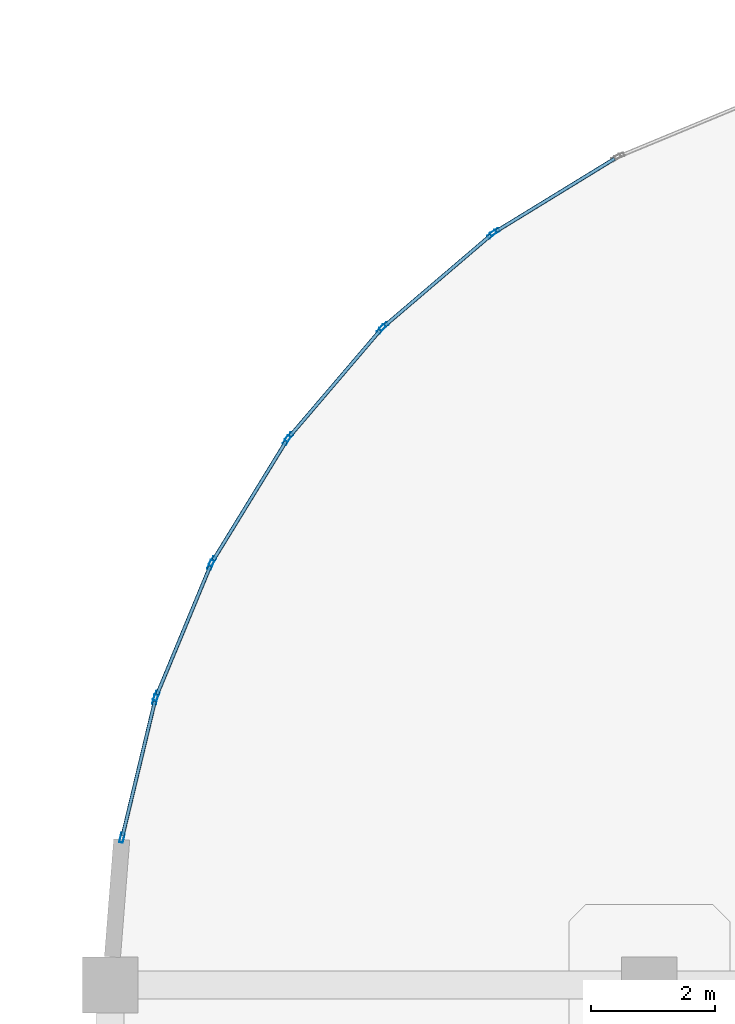
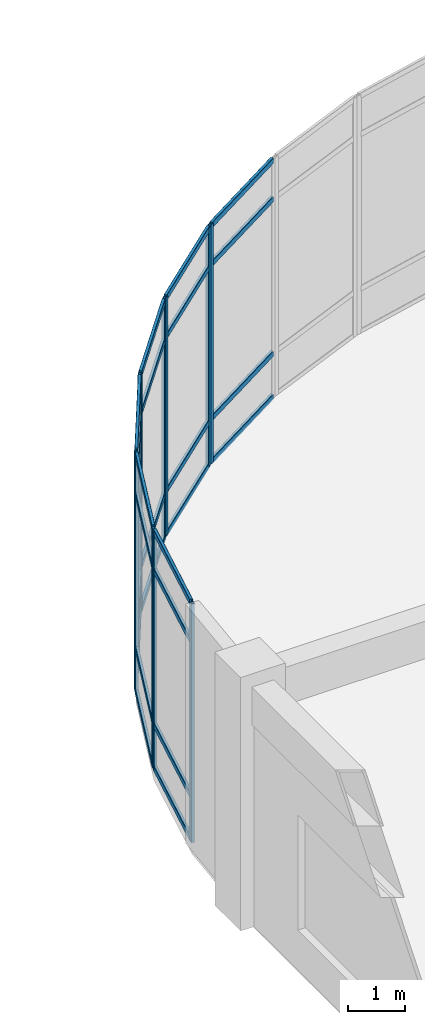
# One storey, part 19 of 114: 35 members, 6 elements without a shape of their own.
"""IFC4 building model written with IfcOpenShell, lengths in metres."""

from ifc_helpers import new_model, si_unit, derived_unit, direction, frame, origin, origin_2d, place, context, subcontext, project, spatial, hollow_rectangle, extrude, material, layer, layer_set, material_profile, profile_set, type_object, element, aggregate, save


model = new_model("IFC4")

# Units and contexts
model_context = context("Model", 3, precision=1e-05, world=origin(), true_north=direction((0.0, 1.0)))
body_context = subcontext(model_context, "Body", "Model", "MODEL_VIEW")
ifc_project = project(units=[si_unit("LENGTHUNIT", "METRE"), si_unit("AREAUNIT", "SQUARE_METRE"), si_unit("VOLUMEUNIT", "CUBIC_METRE"), si_unit("PLANEANGLEUNIT", "RADIAN"), si_unit("MASSUNIT", "GRAM", prefix="KILO"), derived_unit("THERMALTRANSMITTANCEUNIT", [(si_unit("MASSUNIT", "GRAM", prefix="KILO"), 1), (si_unit("TIMEUNIT", "SECOND"), -3), (si_unit("THERMODYNAMICTEMPERATUREUNIT", "KELVIN"), -1)])], contexts=[model_context])

# Site, building, storey
site_placement = place(None, origin())
site = spatial("IfcSite", under=ifc_project, at=site_placement, CompositionType="ELEMENT")
building_placement = place(site_placement, origin())
building = spatial("IfcBuilding", under=site, at=building_placement, Name="Qinzheling Arcade Emporium", CompositionType="ELEMENT")
storey_placement = place(building_placement, frame((0.0, 0.0, 6.0)))
storey = spatial("IfcBuildingStorey", under=building, at=storey_placement, Name="L02", CompositionType="ELEMENT", Elevation=6.0)

# Curtain wall, members
ifc_material_1 = material(Name="Anodised aluminium and solar-control double glazing", Category="aluminium")
ifc_layer = layer(ifc_material_1, 0.159912109375, Name="Anodised aluminium and solar-control double glazing", Category="aluminium")
ifc_layer_set = layer_set([ifc_layer], Name="Anodised aluminium and solar-control double glazing")
curtain_wall_type = type_object("IfcCurtainWallType", Name="Curved Ribbon Sales Curtain Wall", PredefinedType="NOTDEFINED", material=ifc_layer_set)
curtain_wall_1_placement = place(storey_placement, origin())
curtain_wall_1 = element("IfcCurtainWall", 1, at=curtain_wall_1_placement, inside=storey, type_object=curtain_wall_type, Name="Curtain Wall CW-L02-085", PredefinedType="NOTDEFINED")
ifc_material_2 = material(Name="Anodised aluminium 6063-T6", Category="aluminium")
ifc_material_profile_1 = material_profile(ifc_material_2, hollow_rectangle(XDim=0.06005859375, YDim=0.159912109375, WallThickness=0.00390625, InnerFilletRadius=0.00390625, OuterFilletRadius=0.008056640625, at=origin_2d()), Name="RHS 160x60x4", Category="aluminium")
ifc_profile_set_1 = profile_set([ifc_material_profile_1], Name="Anodised aluminium 6063-T6")
member_type_1 = type_object("IfcMemberType", Name="Curtain Wall Mullion RHS160x60", PredefinedType="MULLION", material=ifc_profile_set_1)
member_1_placement = place(storey_placement, frame((8.89208984375, 52.776123046875, 0.0), z_axis=(0.0, 0.0, 1.0), x_axis=(-0.972398874145, 0.233324729854, 0.0)))
member_1 = element("IfcMember", 2, at=member_1_placement, type_object=member_type_1, Name="CW02 mullion 1", PredefinedType="MULLION", context=body_context, shape_type="SweptSolid", body=[
    extrude(hollow_rectangle(XDim=0.06005859375, YDim=0.159912109375, WallThickness=0.00390625, InnerFilletRadius=0.00390625, OuterFilletRadius=0.008056640625, at=origin_2d()), origin(), (0.0, 0.0, 1.0), 5.090087890625),
])
member_2_placement = place(storey_placement, frame((9.427001953125, 55.005859375, 0.0), z_axis=(0.0, 0.0, 1.0), x_axis=(-0.972398874145, 0.233324729854, 0.0)))
member_2 = element("IfcMember", 3, at=member_2_placement, type_object=member_type_1, Name="CW02 mullion 2", PredefinedType="MULLION", context=body_context, shape_type="SweptSolid", body=[
    extrude(hollow_rectangle(XDim=0.06005859375, YDim=0.159912109375, WallThickness=0.00390625, InnerFilletRadius=0.00390625, OuterFilletRadius=0.008056640625, at=origin_2d()), origin(), (0.0, 0.0, 1.0), 5.090087890625),
])

curtain_wall_2_placement = place(storey_placement, origin())
curtain_wall_2 = element("IfcCurtainWall", 4, at=curtain_wall_2_placement, inside=storey, type_object=curtain_wall_type, Name="Curtain Wall CW-L02-086", PredefinedType="NOTDEFINED")
member_3_placement = place(storey_placement, frame((9.445556640625, 55.062744140625, 0.0), z_axis=(0.0, 0.0, 1.0), x_axis=(-0.923866691535, 0.382714431752, 0.0)))
member_3 = element("IfcMember", 5, at=member_3_placement, type_object=member_type_1, Name="CW02 mullion 1", PredefinedType="MULLION", context=body_context, shape_type="SweptSolid", body=[
    extrude(hollow_rectangle(XDim=0.06005859375, YDim=0.159912109375, WallThickness=0.00390625, InnerFilletRadius=0.00390625, OuterFilletRadius=0.008056640625, at=origin_2d()), origin(), (0.0, 0.0, 1.0), 5.090087890625),
])
member_4_placement = place(storey_placement, frame((10.323486328125, 57.182373046875, 0.0), z_axis=(0.0, 0.0, 1.0), x_axis=(-0.923866691535, 0.382714431752, 0.0)))
member_4 = element("IfcMember", 6, at=member_4_placement, type_object=member_type_1, Name="CW02 mullion 2", PredefinedType="MULLION", context=body_context, shape_type="SweptSolid", body=[
    extrude(hollow_rectangle(XDim=0.06005859375, YDim=0.159912109375, WallThickness=0.00390625, InnerFilletRadius=0.00390625, OuterFilletRadius=0.008056640625, at=origin_2d()), origin(), (0.0, 0.0, 1.0), 5.090087890625),
])

curtain_wall_3_placement = place(storey_placement, origin())
curtain_wall_3 = element("IfcCurtainWall", 7, at=curtain_wall_3_placement, inside=storey, type_object=curtain_wall_type, Name="Curtain Wall CW-L02-087", PredefinedType="NOTDEFINED")
member_5_placement = place(storey_placement, frame((10.3505859375, 57.235595703125, 0.0), z_axis=(0.0, 0.0, 1.0), x_axis=(-0.852619568756, 0.522532172191, 0.0)))
member_5 = element("IfcMember", 8, at=member_5_placement, type_object=member_type_1, Name="CW02 mullion 1", PredefinedType="MULLION", context=body_context, shape_type="SweptSolid", body=[
    extrude(hollow_rectangle(XDim=0.06005859375, YDim=0.159912109375, WallThickness=0.00390625, InnerFilletRadius=0.00390625, OuterFilletRadius=0.008056640625, at=origin_2d()), origin(), (0.0, 0.0, 1.0), 5.090087890625),
])
member_6_placement = place(storey_placement, frame((11.54931640625, 59.19140625, 0.0), z_axis=(0.0, 0.0, 1.0), x_axis=(-0.852619568756, 0.522532172191, 0.0)))
member_6 = element("IfcMember", 9, at=member_6_placement, type_object=member_type_1, Name="CW02 mullion 2", PredefinedType="MULLION", context=body_context, shape_type="SweptSolid", body=[
    extrude(hollow_rectangle(XDim=0.06005859375, YDim=0.159912109375, WallThickness=0.00390625, InnerFilletRadius=0.00390625, OuterFilletRadius=0.008056640625, at=origin_2d()), origin(), (0.0, 0.0, 1.0), 5.090087890625),
])

curtain_wall_4_placement = place(storey_placement, origin())
curtain_wall_4 = element("IfcCurtainWall", 10, at=curtain_wall_4_placement, inside=storey, type_object=curtain_wall_type, Name="Curtain Wall CW-L02-088", PredefinedType="NOTDEFINED")
member_7_placement = place(storey_placement, frame((11.58447265625, 59.23974609375, 0.0), z_axis=(0.0, 0.0, 1.0), x_axis=(-0.760574737185, 0.649250390185, 0.0)))
member_7 = element("IfcMember", 11, at=member_7_placement, type_object=member_type_1, Name="CW02 mullion 1", PredefinedType="MULLION", context=body_context, shape_type="SweptSolid", body=[
    extrude(hollow_rectangle(XDim=0.06005859375, YDim=0.159912109375, WallThickness=0.00390625, InnerFilletRadius=0.00390625, OuterFilletRadius=0.008056640625, at=origin_2d()), origin(), (0.0, 0.0, 1.0), 5.090087890625),
])
member_8_placement = place(storey_placement, frame((13.073486328125, 60.984130859375, 0.0), z_axis=(0.0, 0.0, 1.0), x_axis=(-0.760574737185, 0.649250390185, 0.0)))
member_8 = element("IfcMember", 12, at=member_8_placement, type_object=member_type_1, Name="CW02 mullion 2", PredefinedType="MULLION", context=body_context, shape_type="SweptSolid", body=[
    extrude(hollow_rectangle(XDim=0.06005859375, YDim=0.159912109375, WallThickness=0.00390625, InnerFilletRadius=0.00390625, OuterFilletRadius=0.008056640625, at=origin_2d()), origin(), (0.0, 0.0, 1.0), 5.090087890625),
])

curtain_wall_5_placement = place(storey_placement, origin())
curtain_wall_5 = element("IfcCurtainWall", 13, at=curtain_wall_5_placement, inside=storey, type_object=curtain_wall_type, Name="Curtain Wall CW-L02-089", PredefinedType="NOTDEFINED")
member_9_placement = place(storey_placement, frame((13.11572265625, 61.0263671875, 0.0), z_axis=(0.0, 0.0, 1.0), x_axis=(-0.649250390185, 0.760574737185, 0.0)))
member_9 = element("IfcMember", 14, at=member_9_placement, type_object=member_type_1, Name="CW02 mullion 1", PredefinedType="MULLION", context=body_context, shape_type="SweptSolid", body=[
    extrude(hollow_rectangle(XDim=0.06005859375, YDim=0.159912109375, WallThickness=0.00390625, InnerFilletRadius=0.00390625, OuterFilletRadius=0.008056640625, at=origin_2d()), origin(), (0.0, 0.0, 1.0), 5.090087890625),
])
member_10_placement = place(storey_placement, frame((14.860107421875, 62.515625, 0.0), z_axis=(0.0, 0.0, 1.0), x_axis=(-0.649250390185, 0.760574737185, 0.0)))
member_10 = element("IfcMember", 15, at=member_10_placement, type_object=member_type_1, Name="CW02 mullion 2", PredefinedType="MULLION", context=body_context, shape_type="SweptSolid", body=[
    extrude(hollow_rectangle(XDim=0.06005859375, YDim=0.159912109375, WallThickness=0.00390625, InnerFilletRadius=0.00390625, OuterFilletRadius=0.008056640625, at=origin_2d()), origin(), (0.0, 0.0, 1.0), 5.090087890625),
])

# Curtain wall, member
curtain_wall_6_placement = place(storey_placement, origin())
curtain_wall_6 = element("IfcCurtainWall", 16, at=curtain_wall_6_placement, inside=storey, type_object=curtain_wall_type, Name="Curtain Wall CW-L02-090", PredefinedType="NOTDEFINED")
member_11_placement = place(storey_placement, frame((14.90869140625, 62.55078125, 0.0), z_axis=(0.0, 0.0, 1.0), x_axis=(-0.522532172191, 0.852619568756, 0.0)))
member_11 = element("IfcMember", 17, at=member_11_placement, type_object=member_type_1, Name="CW02 mullion 1", PredefinedType="MULLION", context=body_context, shape_type="SweptSolid", body=[
    extrude(hollow_rectangle(XDim=0.06005859375, YDim=0.159912109375, WallThickness=0.00390625, InnerFilletRadius=0.00390625, OuterFilletRadius=0.008056640625, at=origin_2d()), origin(), (0.0, 0.0, 1.0), 5.090087890625),
])

# Member
ifc_material_profile_2 = material_profile(ifc_material_2, hollow_rectangle(XDim=0.06005859375, YDim=0.1201171875, WallThickness=0.00390625, InnerFilletRadius=0.00390625, OuterFilletRadius=0.008056640625, at=origin_2d()), Name="RHS 120x60x4", Category="aluminium")
ifc_profile_set_2 = profile_set([ifc_material_profile_2], Name="Anodised aluminium 6063-T6")
member_type_2 = type_object("IfcMemberType", Name="Curtain Wall Transom RHS120x60", PredefinedType="USERDEFINED", material=ifc_profile_set_2)
member_12_placement = place(storey_placement, frame((8.89892578125, 52.805419921875, 0.030029296875), z_axis=(0.233339867955, 0.97239524167, 0.0), x_axis=(-0.97239524167, 0.233339867955, 0.0)))
member_12 = element("IfcMember", 18, at=member_12_placement, type_object=member_type_2, Name="CW02 transom 1.1", ObjectType="TRANSOM", PredefinedType="USERDEFINED", context=body_context, shape_type="SweptSolid", body=[
    extrude(hollow_rectangle(XDim=0.06005859375, YDim=0.1201171875, WallThickness=0.00390625, InnerFilletRadius=0.00390625, OuterFilletRadius=0.008056640625, at=origin_2d()), origin(), (0.0, 0.0, 1.0), 2.232666015625),
])

member_13_placement = place(storey_placement, frame((8.89892578125, 52.805419921875, 0.949951171875), z_axis=(0.233339867955, 0.97239524167, 0.0), x_axis=(-0.97239524167, 0.233339867955, 0.0)))
member_13 = element("IfcMember", 19, at=member_13_placement, type_object=member_type_2, Name="CW02 transom 1.2", ObjectType="TRANSOM", PredefinedType="USERDEFINED", context=body_context, shape_type="SweptSolid", body=[
    extrude(hollow_rectangle(XDim=0.06005859375, YDim=0.1201171875, WallThickness=0.00390625, InnerFilletRadius=0.00390625, OuterFilletRadius=0.008056640625, at=origin_2d()), origin(), (0.0, 0.0, 1.0), 2.232666015625),
])

member_14_placement = place(storey_placement, frame((8.89892578125, 52.805419921875, 4.239990234375), z_axis=(0.233339867955, 0.97239524167, 0.0), x_axis=(-0.97239524167, 0.233339867955, 0.0)))
member_14 = element("IfcMember", 20, at=member_14_placement, type_object=member_type_2, Name="CW02 transom 1.3", ObjectType="TRANSOM", PredefinedType="USERDEFINED", context=body_context, shape_type="SweptSolid", body=[
    extrude(hollow_rectangle(XDim=0.06005859375, YDim=0.1201171875, WallThickness=0.00390625, InnerFilletRadius=0.00390625, OuterFilletRadius=0.008056640625, at=origin_2d()), origin(), (0.0, 0.0, 1.0), 2.232666015625),
])

member_15_placement = place(storey_placement, frame((8.89892578125, 52.805419921875, 5.06005859375), z_axis=(0.233339867955, 0.97239524167, 0.0), x_axis=(-0.97239524167, 0.233339867955, 0.0)))
member_15 = element("IfcMember", 21, at=member_15_placement, type_object=member_type_2, Name="CW02 transom 1.4", ObjectType="TRANSOM", PredefinedType="USERDEFINED", context=body_context, shape_type="SweptSolid", body=[
    extrude(hollow_rectangle(XDim=0.06005859375, YDim=0.1201171875, WallThickness=0.00390625, InnerFilletRadius=0.00390625, OuterFilletRadius=0.008056640625, at=origin_2d()), origin(), (0.0, 0.0, 1.0), 2.232666015625),
])

aggregate(curtain_wall_1, [member_1, member_2, member_12, member_13, member_14, member_15])

member_16_placement = place(storey_placement, frame((9.45703125, 55.09033203125, 0.030029296875), z_axis=(0.382667047817, 0.923886319043, 0.0), x_axis=(-0.923886319043, 0.382667047817, 0.0)))
member_16 = element("IfcMember", 22, at=member_16_placement, type_object=member_type_2, Name="CW02 transom 1.1", ObjectType="TRANSOM", PredefinedType="USERDEFINED", context=body_context, shape_type="SweptSolid", body=[
    extrude(hollow_rectangle(XDim=0.06005859375, YDim=0.1201171875, WallThickness=0.00390625, InnerFilletRadius=0.00390625, OuterFilletRadius=0.008056640625, at=origin_2d()), origin(), (0.0, 0.0, 1.0), 2.234375),
])

member_17_placement = place(storey_placement, frame((9.45703125, 55.09033203125, 0.949951171875), z_axis=(0.382667047817, 0.923886319043, 0.0), x_axis=(-0.923886319043, 0.382667047817, 0.0)))
member_17 = element("IfcMember", 23, at=member_17_placement, type_object=member_type_2, Name="CW02 transom 1.2", ObjectType="TRANSOM", PredefinedType="USERDEFINED", context=body_context, shape_type="SweptSolid", body=[
    extrude(hollow_rectangle(XDim=0.06005859375, YDim=0.1201171875, WallThickness=0.00390625, InnerFilletRadius=0.00390625, OuterFilletRadius=0.008056640625, at=origin_2d()), origin(), (0.0, 0.0, 1.0), 2.234375),
])

member_18_placement = place(storey_placement, frame((9.45703125, 55.09033203125, 4.239990234375), z_axis=(0.382667047817, 0.923886319043, 0.0), x_axis=(-0.923886319043, 0.382667047817, 0.0)))
member_18 = element("IfcMember", 24, at=member_18_placement, type_object=member_type_2, Name="CW02 transom 1.3", ObjectType="TRANSOM", PredefinedType="USERDEFINED", context=body_context, shape_type="SweptSolid", body=[
    extrude(hollow_rectangle(XDim=0.06005859375, YDim=0.1201171875, WallThickness=0.00390625, InnerFilletRadius=0.00390625, OuterFilletRadius=0.008056640625, at=origin_2d()), origin(), (0.0, 0.0, 1.0), 2.234375),
])

member_19_placement = place(storey_placement, frame((9.45703125, 55.09033203125, 5.06005859375), z_axis=(0.382667047817, 0.923886319043, 0.0), x_axis=(-0.923886319043, 0.382667047817, 0.0)))
member_19 = element("IfcMember", 25, at=member_19_placement, type_object=member_type_2, Name="CW02 transom 1.4", ObjectType="TRANSOM", PredefinedType="USERDEFINED", context=body_context, shape_type="SweptSolid", body=[
    extrude(hollow_rectangle(XDim=0.06005859375, YDim=0.1201171875, WallThickness=0.00390625, InnerFilletRadius=0.00390625, OuterFilletRadius=0.008056640625, at=origin_2d()), origin(), (0.0, 0.0, 1.0), 2.234375),
])

aggregate(curtain_wall_2, [member_3, member_4, member_16, member_17, member_18, member_19])

member_20_placement = place(storey_placement, frame((10.366455078125, 57.26123046875, 0.030029296875), z_axis=(0.522541554547, 0.852613818661, 0.0), x_axis=(-0.852613818661, 0.522541554547, 0.0)))
member_20 = element("IfcMember", 26, at=member_20_placement, type_object=member_type_2, Name="CW02 transom 1.1", ObjectType="TRANSOM", PredefinedType="USERDEFINED", context=body_context, shape_type="SweptSolid", body=[
    extrude(hollow_rectangle(XDim=0.06005859375, YDim=0.1201171875, WallThickness=0.00390625, InnerFilletRadius=0.00390625, OuterFilletRadius=0.008056640625, at=origin_2d()), origin(), (0.0, 0.0, 1.0), 2.23388671875),
])

member_21_placement = place(storey_placement, frame((10.366455078125, 57.26123046875, 0.949951171875), z_axis=(0.522541554547, 0.852613818661, 0.0), x_axis=(-0.852613818661, 0.522541554547, 0.0)))
member_21 = element("IfcMember", 27, at=member_21_placement, type_object=member_type_2, Name="CW02 transom 1.2", ObjectType="TRANSOM", PredefinedType="USERDEFINED", context=body_context, shape_type="SweptSolid", body=[
    extrude(hollow_rectangle(XDim=0.06005859375, YDim=0.1201171875, WallThickness=0.00390625, InnerFilletRadius=0.00390625, OuterFilletRadius=0.008056640625, at=origin_2d()), origin(), (0.0, 0.0, 1.0), 2.23388671875),
])

member_22_placement = place(storey_placement, frame((10.366455078125, 57.26123046875, 4.239990234375), z_axis=(0.522541554547, 0.852613818661, 0.0), x_axis=(-0.852613818661, 0.522541554547, 0.0)))
member_22 = element("IfcMember", 28, at=member_22_placement, type_object=member_type_2, Name="CW02 transom 1.3", ObjectType="TRANSOM", PredefinedType="USERDEFINED", context=body_context, shape_type="SweptSolid", body=[
    extrude(hollow_rectangle(XDim=0.06005859375, YDim=0.1201171875, WallThickness=0.00390625, InnerFilletRadius=0.00390625, OuterFilletRadius=0.008056640625, at=origin_2d()), origin(), (0.0, 0.0, 1.0), 2.23388671875),
])

member_23_placement = place(storey_placement, frame((10.366455078125, 57.26123046875, 5.06005859375), z_axis=(0.522541554547, 0.852613818661, 0.0), x_axis=(-0.852613818661, 0.522541554547, 0.0)))
member_23 = element("IfcMember", 29, at=member_23_placement, type_object=member_type_2, Name="CW02 transom 1.4", ObjectType="TRANSOM", PredefinedType="USERDEFINED", context=body_context, shape_type="SweptSolid", body=[
    extrude(hollow_rectangle(XDim=0.06005859375, YDim=0.1201171875, WallThickness=0.00390625, InnerFilletRadius=0.00390625, OuterFilletRadius=0.008056640625, at=origin_2d()), origin(), (0.0, 0.0, 1.0), 2.23388671875),
])

aggregate(curtain_wall_3, [member_5, member_6, member_20, member_21, member_22, member_23])

member_24_placement = place(storey_placement, frame((11.60400390625, 59.2626953125, 0.030029296875), z_axis=(0.649214567971, 0.76060531469, 0.0), x_axis=(-0.76060531469, 0.649214567971, 0.0)))
member_24 = element("IfcMember", 30, at=member_24_placement, type_object=member_type_2, Name="CW02 transom 1.1", ObjectType="TRANSOM", PredefinedType="USERDEFINED", context=body_context, shape_type="SweptSolid", body=[
    extrude(hollow_rectangle(XDim=0.06005859375, YDim=0.1201171875, WallThickness=0.00390625, InnerFilletRadius=0.00390625, OuterFilletRadius=0.008056640625, at=origin_2d()), origin(), (0.0, 0.0, 1.0), 2.2333984375),
])

member_25_placement = place(storey_placement, frame((11.60400390625, 59.2626953125, 0.949951171875), z_axis=(0.649214567971, 0.76060531469, 0.0), x_axis=(-0.76060531469, 0.649214567971, 0.0)))
member_25 = element("IfcMember", 31, at=member_25_placement, type_object=member_type_2, Name="CW02 transom 1.2", ObjectType="TRANSOM", PredefinedType="USERDEFINED", context=body_context, shape_type="SweptSolid", body=[
    extrude(hollow_rectangle(XDim=0.06005859375, YDim=0.1201171875, WallThickness=0.00390625, InnerFilletRadius=0.00390625, OuterFilletRadius=0.008056640625, at=origin_2d()), origin(), (0.0, 0.0, 1.0), 2.2333984375),
])

member_26_placement = place(storey_placement, frame((11.60400390625, 59.2626953125, 4.239990234375), z_axis=(0.649214567971, 0.76060531469, 0.0), x_axis=(-0.76060531469, 0.649214567971, 0.0)))
member_26 = element("IfcMember", 32, at=member_26_placement, type_object=member_type_2, Name="CW02 transom 1.3", ObjectType="TRANSOM", PredefinedType="USERDEFINED", context=body_context, shape_type="SweptSolid", body=[
    extrude(hollow_rectangle(XDim=0.06005859375, YDim=0.1201171875, WallThickness=0.00390625, InnerFilletRadius=0.00390625, OuterFilletRadius=0.008056640625, at=origin_2d()), origin(), (0.0, 0.0, 1.0), 2.2333984375),
])

member_27_placement = place(storey_placement, frame((11.60400390625, 59.2626953125, 5.06005859375), z_axis=(0.649214567971, 0.76060531469, 0.0), x_axis=(-0.76060531469, 0.649214567971, 0.0)))
member_27 = element("IfcMember", 33, at=member_27_placement, type_object=member_type_2, Name="CW02 transom 1.4", ObjectType="TRANSOM", PredefinedType="USERDEFINED", context=body_context, shape_type="SweptSolid", body=[
    extrude(hollow_rectangle(XDim=0.06005859375, YDim=0.1201171875, WallThickness=0.00390625, InnerFilletRadius=0.00390625, OuterFilletRadius=0.008056640625, at=origin_2d()), origin(), (0.0, 0.0, 1.0), 2.2333984375),
])

aggregate(curtain_wall_4, [member_7, member_8, member_24, member_25, member_26, member_27])

member_28_placement = place(storey_placement, frame((13.138671875, 61.0458984375, 0.030029296875), z_axis=(0.760551337176, 0.649277801499, 0.0), x_axis=(-0.649277801499, 0.760551337176, 0.0)))
member_28 = element("IfcMember", 34, at=member_28_placement, type_object=member_type_2, Name="CW02 transom 1.1", ObjectType="TRANSOM", PredefinedType="USERDEFINED", context=body_context, shape_type="SweptSolid", body=[
    extrude(hollow_rectangle(XDim=0.06005859375, YDim=0.1201171875, WallThickness=0.00390625, InnerFilletRadius=0.00390625, OuterFilletRadius=0.008056640625, at=origin_2d()), origin(), (0.0, 0.0, 1.0), 2.233642578125),
])

member_29_placement = place(storey_placement, frame((13.138671875, 61.0458984375, 0.949951171875), z_axis=(0.760551337176, 0.649277801499, 0.0), x_axis=(-0.649277801499, 0.760551337176, 0.0)))
member_29 = element("IfcMember", 35, at=member_29_placement, type_object=member_type_2, Name="CW02 transom 1.2", ObjectType="TRANSOM", PredefinedType="USERDEFINED", context=body_context, shape_type="SweptSolid", body=[
    extrude(hollow_rectangle(XDim=0.06005859375, YDim=0.1201171875, WallThickness=0.00390625, InnerFilletRadius=0.00390625, OuterFilletRadius=0.008056640625, at=origin_2d()), origin(), (0.0, 0.0, 1.0), 2.233642578125),
])

member_30_placement = place(storey_placement, frame((13.138671875, 61.0458984375, 4.239990234375), z_axis=(0.760551337176, 0.649277801499, 0.0), x_axis=(-0.649277801499, 0.760551337176, 0.0)))
member_30 = element("IfcMember", 36, at=member_30_placement, type_object=member_type_2, Name="CW02 transom 1.3", ObjectType="TRANSOM", PredefinedType="USERDEFINED", context=body_context, shape_type="SweptSolid", body=[
    extrude(hollow_rectangle(XDim=0.06005859375, YDim=0.1201171875, WallThickness=0.00390625, InnerFilletRadius=0.00390625, OuterFilletRadius=0.008056640625, at=origin_2d()), origin(), (0.0, 0.0, 1.0), 2.233642578125),
])

member_31_placement = place(storey_placement, frame((13.138671875, 61.0458984375, 5.06005859375), z_axis=(0.760551337176, 0.649277801499, 0.0), x_axis=(-0.649277801499, 0.760551337176, 0.0)))
member_31 = element("IfcMember", 37, at=member_31_placement, type_object=member_type_2, Name="CW02 transom 1.4", ObjectType="TRANSOM", PredefinedType="USERDEFINED", context=body_context, shape_type="SweptSolid", body=[
    extrude(hollow_rectangle(XDim=0.06005859375, YDim=0.1201171875, WallThickness=0.00390625, InnerFilletRadius=0.00390625, OuterFilletRadius=0.008056640625, at=origin_2d()), origin(), (0.0, 0.0, 1.0), 2.233642578125),
])

aggregate(curtain_wall_5, [member_9, member_10, member_28, member_29, member_30, member_31])

member_32_placement = place(storey_placement, frame((14.93408203125, 62.56640625, 0.030029296875), z_axis=(0.852643657578, 0.52249286425, 0.0), x_axis=(-0.52249286425, 0.852643657578, 0.0)))
member_32 = element("IfcMember", 38, at=member_32_placement, type_object=member_type_2, Name="CW02 transom 1.1", ObjectType="TRANSOM", PredefinedType="USERDEFINED", context=body_context, shape_type="SweptSolid", body=[
    extrude(hollow_rectangle(XDim=0.06005859375, YDim=0.1201171875, WallThickness=0.00390625, InnerFilletRadius=0.00390625, OuterFilletRadius=0.008056640625, at=origin_2d()), origin(), (0.0, 0.0, 1.0), 2.23388671875),
])

member_33_placement = place(storey_placement, frame((14.93408203125, 62.56640625, 0.949951171875), z_axis=(0.852643657578, 0.52249286425, 0.0), x_axis=(-0.52249286425, 0.852643657578, 0.0)))
member_33 = element("IfcMember", 39, at=member_33_placement, type_object=member_type_2, Name="CW02 transom 1.2", ObjectType="TRANSOM", PredefinedType="USERDEFINED", context=body_context, shape_type="SweptSolid", body=[
    extrude(hollow_rectangle(XDim=0.06005859375, YDim=0.1201171875, WallThickness=0.00390625, InnerFilletRadius=0.00390625, OuterFilletRadius=0.008056640625, at=origin_2d()), origin(), (0.0, 0.0, 1.0), 2.23388671875),
])

member_34_placement = place(storey_placement, frame((14.93408203125, 62.56640625, 4.239990234375), z_axis=(0.852643657578, 0.52249286425, 0.0), x_axis=(-0.52249286425, 0.852643657578, 0.0)))
member_34 = element("IfcMember", 40, at=member_34_placement, type_object=member_type_2, Name="CW02 transom 1.3", ObjectType="TRANSOM", PredefinedType="USERDEFINED", context=body_context, shape_type="SweptSolid", body=[
    extrude(hollow_rectangle(XDim=0.06005859375, YDim=0.1201171875, WallThickness=0.00390625, InnerFilletRadius=0.00390625, OuterFilletRadius=0.008056640625, at=origin_2d()), origin(), (0.0, 0.0, 1.0), 2.23388671875),
])

member_35_placement = place(storey_placement, frame((14.93408203125, 62.56640625, 5.06005859375), z_axis=(0.852643657578, 0.52249286425, 0.0), x_axis=(-0.52249286425, 0.852643657578, 0.0)))
member_35 = element("IfcMember", 41, at=member_35_placement, type_object=member_type_2, Name="CW02 transom 1.4", ObjectType="TRANSOM", PredefinedType="USERDEFINED", context=body_context, shape_type="SweptSolid", body=[
    extrude(hollow_rectangle(XDim=0.06005859375, YDim=0.1201171875, WallThickness=0.00390625, InnerFilletRadius=0.00390625, OuterFilletRadius=0.008056640625, at=origin_2d()), origin(), (0.0, 0.0, 1.0), 2.23388671875),
])

aggregate(curtain_wall_6, [member_11, member_32, member_33, member_34, member_35])

save(model, "model.ifc")
